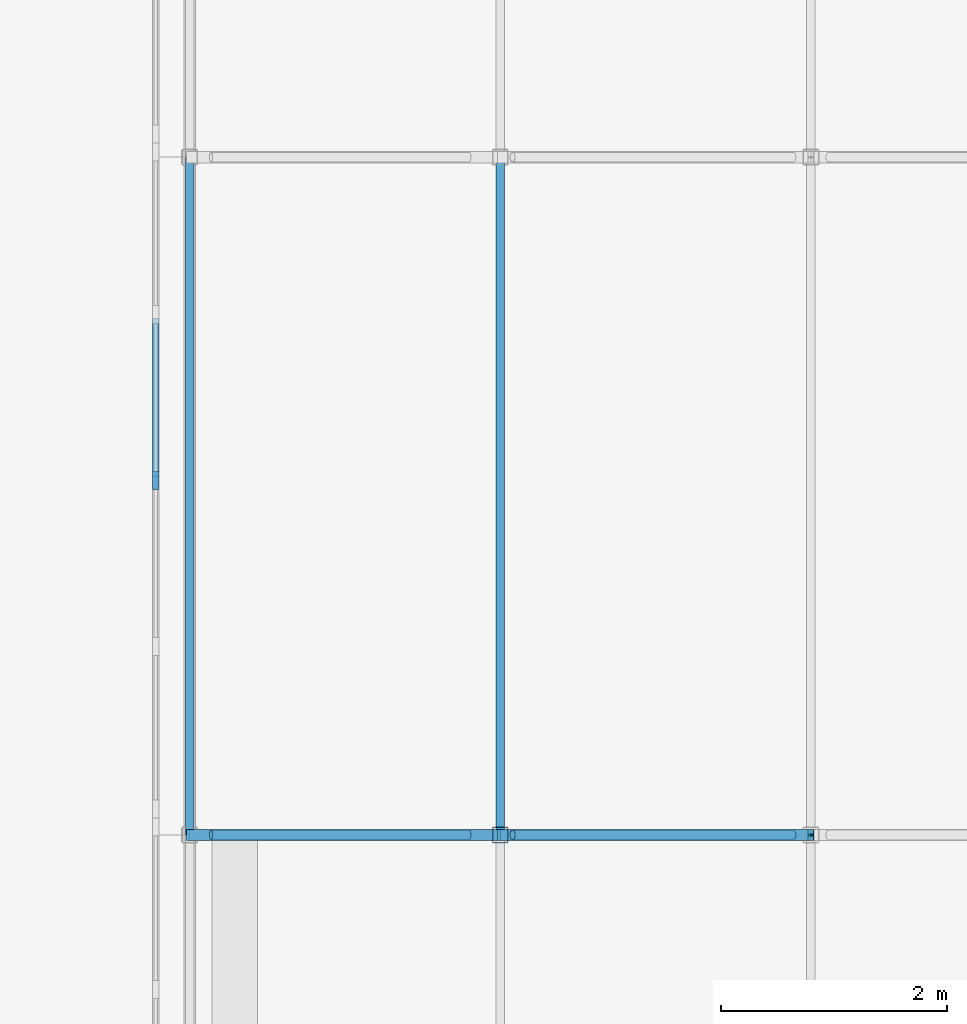
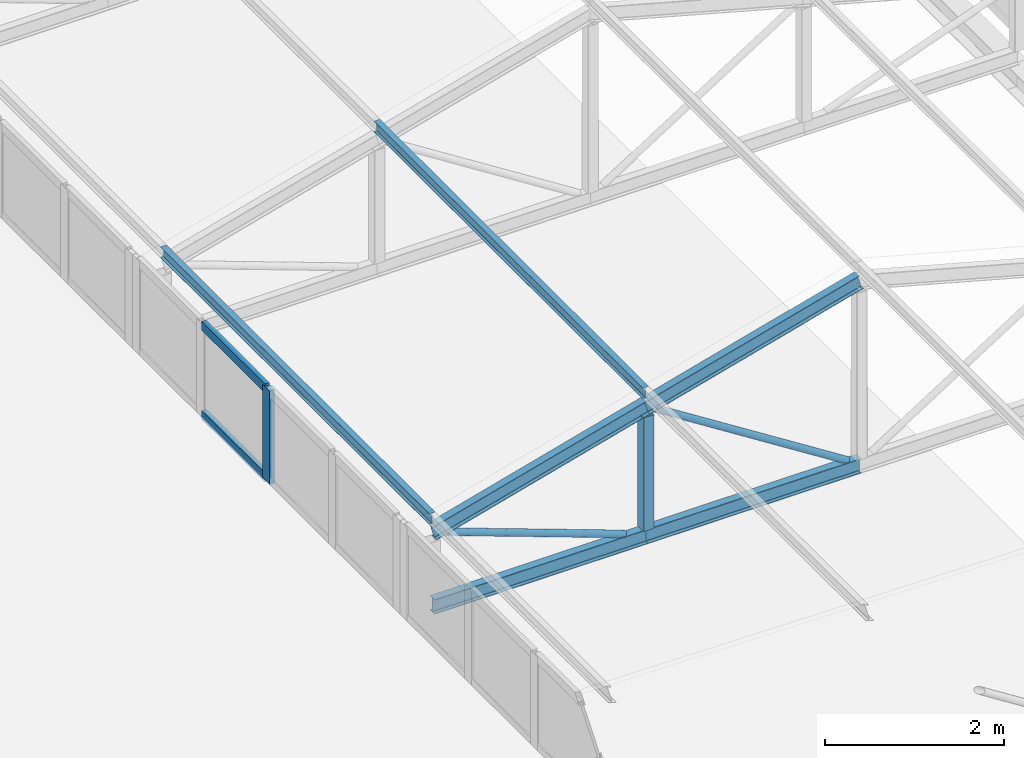
# One storey, part 19 of 94: 12 members, 1 element without a shape of its own.
"""IFC4 building model written with IfcOpenShell, lengths in metres."""

import ifcopenshell
import ifcopenshell.guid

model = None  # the IFC model being written
_history = None  # IfcOwnerHistory: only IFC2X3 demands one
_inside = {}  # id of a spatial element -> (the spatial element, [elements in it])
_under = {}  # id of a project, library or spatial element -> (it, [spatial elements below it])
_declared = {}  # id of a project -> (the project, [libraries it declares])
_typed = {}  # id of a type object -> (the type object, [elements of that type])
_made_of = {}  # id of a material, layer set ... -> (it, [elements and type objects made of it])


def new_model(schema):
    """Start an empty IFC model of exactly this schema.

    Asked for "IFC4X3", IfcOpenShell would pick the latest addendum, in which some entities
    have other attributes; the version numbers below select the first issue.
    IFC2X3 requires an IfcOwnerHistory on every rooted entity: one is made here for all.
    """
    global model, _history
    if schema == "IFC4X3":
        model = ifcopenshell.file(schema_version=(4, 3, 0, 0))
    else:
        model = ifcopenshell.file(schema=schema)
    _inside.clear()
    _under.clear()
    _declared.clear()
    _typed.clear()
    _made_of.clear()
    _history = None
    if model.schema == "IFC2X3":
        org = make("IfcOrganization", Name="unknown")
        user = make(
            "IfcPersonAndOrganization",
            ThePerson=make("IfcPerson", FamilyName="unknown"),
            TheOrganization=org,
        )
        app = make(
            "IfcApplication",
            ApplicationDeveloper=org,
            Version="unknown",
            ApplicationFullName="unknown",
            ApplicationIdentifier="unknown",
        )
        _history = make(
            "IfcOwnerHistory",
            OwningUser=user,
            OwningApplication=app,
            ChangeAction="ADDED",
            CreationDate=0,
        )
    return model


def make(cls, **values):
    """One entity of the class cls with the attributes given. An attribute that is None is left unset."""
    return model.create_entity(
        cls, **{name: value for name, value in values.items() if value is not None}
    )


def rooted(cls, **values):
    """An entity with a GlobalId (a new one), such as an element, a storey or a relation."""
    return make(cls, GlobalId=ifcopenshell.guid.new(), OwnerHistory=_history, **values)


def si_unit(unit_type, name, prefix=None):
    """IfcSIUnit, for example si_unit("LENGTHUNIT", "METRE", prefix="MILLI")."""
    return make("IfcSIUnit", UnitType=unit_type, Prefix=prefix, Name=name)


def assignment(units):
    """IfcUnitAssignment: the units of a project."""
    return None if units is None else make("IfcUnitAssignment", Units=units)


def point(xyz):
    """IfcCartesianPoint."""
    return None if xyz is None else make("IfcCartesianPoint", Coordinates=xyz)


def direction(xyz):
    """IfcDirection."""
    return None if xyz is None else make("IfcDirection", DirectionRatios=xyz)


def frame(location, z_axis=None, x_axis=None):
    """IfcAxis2Placement3D, a coordinate frame: its origin and axes. An axis left out is left unset."""
    return make(
        "IfcAxis2Placement3D",
        Location=point(location),
        Axis=direction(z_axis),
        RefDirection=direction(x_axis),
    )


def frame_2d(location, x_axis=None):
    """IfcAxis2Placement2D, a coordinate frame in the plane: its origin and x axis."""
    return make(
        "IfcAxis2Placement2D", Location=point(location), RefDirection=direction(x_axis)
    )


def origin():
    """The frame at (0, 0, 0) with its axes left unset."""
    return frame((0.0, 0.0, 0.0))


def origin_2d():
    """The frame at (0, 0) in the plane with its x axis left unset."""
    return frame_2d((0.0, 0.0))


def place(relative_to, where):
    """IfcLocalPlacement: puts the frame where relative to a parent placement (None: the world)."""
    return make(
        "IfcLocalPlacement", PlacementRelTo=relative_to, RelativePlacement=where
    )


def context(
    kind, dimensions, precision=None, world=None, true_north=None, identifier=None
):
    """IfcGeometricRepresentationContext, for example the 3D "Model" context."""
    return make(
        "IfcGeometricRepresentationContext",
        ContextIdentifier=identifier,
        ContextType=kind,
        CoordinateSpaceDimension=dimensions,
        Precision=precision,
        WorldCoordinateSystem=world,
        TrueNorth=true_north,
    )


def subcontext(parent, identifier, kind, view, scale=None):
    """IfcGeometricRepresentationSubContext, for example "Body" below "Model"."""
    return make(
        "IfcGeometricRepresentationSubContext",
        ContextIdentifier=identifier,
        ContextType=kind,
        ParentContext=parent,
        TargetScale=scale,
        TargetView=view,
    )


def project(units=None, contexts=None):
    """IfcProject with its units and contexts."""
    return rooted(
        "IfcProject",
        Name="project",
        RepresentationContexts=contexts,
        UnitsInContext=assignment(units),
    )


def spatial(cls, under=None, at=None, **own):
    """A site, building, storey or space (cls), placed at a placement, below another one or the project."""
    s = rooted(cls, ObjectPlacement=at, **own)
    if under is not None:
        _under.setdefault(under.id(), (under, []))[1].append(s)
    return s


def profile(cls, at=None, kind="AREA", **sizes):
    """A parametric profile (cls). Its sizes go by their IFC names, for example OverallWidth=200.0."""
    return make(cls, ProfileType=kind, Position=at, **sizes)


def rectangle(**sizes):
    """IfcRectangleProfileDef."""
    return profile("IfcRectangleProfileDef", **sizes)


def hollow_rectangle(**sizes):
    """IfcRectangleHollowProfileDef."""
    return profile("IfcRectangleHollowProfileDef", **sizes)


def hollow_circle(**sizes):
    """IfcCircleHollowProfileDef."""
    return profile("IfcCircleHollowProfileDef", **sizes)


def i_section(**sizes):
    """IfcIShapeProfileDef."""
    return profile("IfcIShapeProfileDef", **sizes)


def extrude(swept, where, along, depth):
    """IfcExtrudedAreaSolid: the profile swept, set in the frame where, extruded along a direction by depth."""
    return make(
        "IfcExtrudedAreaSolid",
        SweptArea=swept,
        Position=where,
        ExtrudedDirection=direction(along),
        Depth=depth,
    )


def shape(context_of_items, identifier, shape_type, items):
    """IfcShapeRepresentation: the items that make up one representation, for example the "Body"."""
    return make(
        "IfcShapeRepresentation",
        ContextOfItems=context_of_items,
        RepresentationIdentifier=identifier,
        RepresentationType=shape_type,
        Items=items,
    )


def material(Name=None, Category=None):
    """IfcMaterial."""
    return make("IfcMaterial", Name=Name, Category=Category)


def layer(
    of_material, thickness, ventilated=None, Name=None, Category=None, Priority=None
):
    """IfcMaterialLayer: one layer of a wall or slab, of a material (None: an air gap)."""
    return make(
        "IfcMaterialLayer",
        Material=of_material,
        LayerThickness=thickness,
        IsVentilated=ventilated,
        Name=Name,
        Category=Category,
        Priority=Priority,
    )


def layer_set(layers, Name=None):
    """IfcMaterialLayerSet."""
    return make("IfcMaterialLayerSet", MaterialLayers=layers, LayerSetName=Name)


def material_profile(
    of_material, cross_section, Name=None, Category=None, Priority=None
):
    """IfcMaterialProfile: a cross section and its material."""
    return make(
        "IfcMaterialProfile",
        Name=Name,
        Material=of_material,
        Profile=cross_section,
        Priority=Priority,
        Category=Category,
    )


def profile_set(profiles, Name=None, composite=None):
    """IfcMaterialProfileSet."""
    return make(
        "IfcMaterialProfileSet",
        Name=Name,
        MaterialProfiles=profiles,
        CompositeProfile=composite,
    )


def made_of(thing, what):
    """Note that an element or type object is made of a material, layer set ...; save() writes the relation."""
    if what is not None:
        _made_of.setdefault(what.id(), (what, []))[1].append(thing)
    return thing


def type_object(cls, material=None, **own):
    """A type object (cls), such as IfcWallType, which elements share."""
    return made_of(rooted(cls, **own), material)


def element(
    cls,
    number,
    at=None,
    inside=None,
    cuts=None,
    type_object=None,
    material=None,
    context=None,
    identifier="Body",
    shape_type=None,
    held_by="IfcProductDefinitionShape",
    body=None,
    shapes=None,
    **own,
):
    """One element of the class cls, such as IfcWall. Its Tag is "e" and its number.

    at: its placement. inside: the storey or other place that contains it. cuts: it is an
    opening in that element (IfcRelVoidsElement). A single representation is given by context,
    identifier, shape_type and body (its items); several are given by shapes. held_by: the class
    of the entity that holds the representations. save() writes the other relations.
    """
    e = rooted(cls, Tag="e%d" % number, ObjectPlacement=at, **own)
    if body is not None:
        shapes = [shape(context, identifier, shape_type, body)]
    if shapes is not None:
        e.Representation = make(held_by, Representations=shapes)
    if inside is not None:
        _inside.setdefault(inside.id(), (inside, []))[1].append(e)
    if cuts is not None:
        rooted(
            "IfcRelVoidsElement", RelatingBuildingElement=cuts, RelatedOpeningElement=e
        )
    if type_object is not None:
        _typed.setdefault(type_object.id(), (type_object, []))[1].append(e)
    return made_of(e, material)


def aggregate(whole, parts):
    """IfcRelAggregates: a whole, such as a stair, and the parts it consists of."""
    return rooted("IfcRelAggregates", RelatingObject=whole, RelatedObjects=parts)


def save(model, path):
    """Write the relations noted so far, then the file.

    IfcRelAggregates (storeys below a building ...), IfcRelContainedInSpatialStructure (elements
    in a storey), IfcRelDefinesByType, IfcRelAssociatesMaterial and IfcRelDeclares: one each for
    every whole, place, type object, material and project.
    """
    for whole, parts in _under.values():
        aggregate(whole, parts)
    for where, things in _inside.values():
        rooted(
            "IfcRelContainedInSpatialStructure",
            RelatedElements=things,
            RelatingStructure=where,
        )
    for kind, things in _typed.values():
        rooted("IfcRelDefinesByType", RelatedObjects=things, RelatingType=kind)
    for what, things in _made_of.values():
        rooted("IfcRelAssociatesMaterial", RelatedObjects=things, RelatingMaterial=what)
    for by, libraries in _declared.values():
        rooted("IfcRelDeclares", RelatingContext=by, RelatedDefinitions=libraries)
    model.write(path)


model = new_model("IFC4")

# Units and contexts
model_context = context("Model", 3, precision=1e-05, world=origin(), true_north=direction((0.0, 1.0)))
body_context = subcontext(model_context, "Body", "Model", "MODEL_VIEW")
ifc_project = project(units=[si_unit("LENGTHUNIT", "METRE"), si_unit("AREAUNIT", "SQUARE_METRE"), si_unit("VOLUMEUNIT", "CUBIC_METRE"), si_unit("PLANEANGLEUNIT", "RADIAN"), si_unit("MASSUNIT", "GRAM", prefix="KILO")], contexts=[model_context])

# Site, building, storey
site_placement = place(None, origin())
site = spatial("IfcSite", under=ifc_project, at=site_placement, CompositionType="ELEMENT")
building_placement = place(site_placement, origin())
building = spatial("IfcBuilding", under=site, at=building_placement, Name="Lilac Gate Convention Centre", CompositionType="ELEMENT")
storey_placement = place(building_placement, frame((0.0, 0.0, 21.0)))
storey = spatial("IfcBuildingStorey", under=building, at=storey_placement, Name="L04", CompositionType="ELEMENT", Elevation=21.0)

# Curtain wall, members
ifc_material_1 = material(Name="Aluminium framed double glazing", Category="aluminium")
ifc_layer = layer(ifc_material_1, 0.199951171875)
ifc_layer_set = layer_set([ifc_layer], Name="Aluminium framed double glazing")
curtain_wall_type = type_object("IfcCurtainWallType", Name="Unitised curtain wall 1500", PredefinedType="NOTDEFINED", material=ifc_layer_set)
curtain_wall_placement = place(storey_placement, origin())
curtain_wall = element("IfcCurtainWall", 1, at=curtain_wall_placement, inside=storey, type_object=curtain_wall_type, Name="Lantern clerestory W 11", PredefinedType="NOTDEFINED")
ifc_material_2 = material(Name="Aluminium alloy 6063", Category="aluminium")
ifc_material_profile_1 = material_profile(ifc_material_2, rectangle(XDim=0.06005859375, YDim=0.159912109375, at=origin_2d()), Name="Curtain wall mullion 60 x 160")
ifc_profile_set_1 = profile_set([ifc_material_profile_1], Name="Aluminium alloy 6063")
member_type_1 = type_object("IfcMemberType", Name="Curtain wall mullion 60 x 160", PredefinedType="MULLION", material=ifc_profile_set_1)
member_1_placement = place(storey_placement, frame((17.300048828125, 93.137451171875, 0.0), z_axis=(0.0, 0.0, 1.0), x_axis=(-1.0, 0.0, 0.0)))
member_1 = element("IfcMember", 2, at=member_1_placement, type_object=member_type_1, Name="CW mullion 3", PredefinedType="MULLION", context=body_context, shape_type="SweptSolid", body=[
    extrude(rectangle(XDim=0.06005859375, YDim=0.159912109375, at=origin_2d()), origin(), (0.0, 0.0, 1.0), 1.272216796875),
])
ifc_material_profile_2 = material_profile(ifc_material_2, rectangle(XDim=0.06005859375, YDim=0.1201171875, at=origin_2d()), Name="Curtain wall transom 60 x 120")
ifc_profile_set_2 = profile_set([ifc_material_profile_2], Name="Aluminium alloy 6063")
member_type_2 = type_object("IfcMemberType", Name="Curtain wall transom 60 x 120", PredefinedType="USERDEFINED", material=ifc_profile_set_2)
member_2_placement = place(storey_placement, frame((17.300048828125, 93.16748046875, 0.030029296875), z_axis=(0.0, 1.0, 0.0), x_axis=(-1.0, 0.0, 0.0)))
member_2 = element("IfcMember", 3, at=member_2_placement, type_object=member_type_2, Name="CW transom 3.1", ObjectType="TRANSOM", PredefinedType="USERDEFINED", context=body_context, shape_type="SweptSolid", body=[
    extrude(rectangle(XDim=0.06005859375, YDim=0.1201171875, at=origin_2d()), origin(), (0.0, 0.0, 1.0), 1.40869140625),
])
member_3_placement = place(storey_placement, frame((17.300048828125, 93.16748046875, 1.2421875), z_axis=(0.0, 1.0, 0.0), x_axis=(-1.0, 0.0, 0.0)))
member_3 = element("IfcMember", 4, at=member_3_placement, type_object=member_type_2, Name="CW transom 3.2", ObjectType="TRANSOM", PredefinedType="USERDEFINED", context=body_context, shape_type="SweptSolid", body=[
    extrude(rectangle(XDim=0.06005859375, YDim=0.1201171875, at=origin_2d()), origin(), (0.0, 0.0, 1.0), 1.40869140625),
])
aggregate(curtain_wall, [member_1, member_2, member_3])

# Members
ifc_material_3 = material(Name="Steel Q355B", Category="steel")
ifc_material_profile_3 = material_profile(ifc_material_3, i_section(OverallWidth=0.10009765625, OverallDepth=0.199951171875, WebThickness=0.005615234375, FlangeThickness=0.008056640625, FilletRadius=0.008056640625, at=origin_2d()), Name="HN200x100x5.5x8")
ifc_profile_set_3 = profile_set([ifc_material_profile_3], Name="Steel Q355B")
member_type_3 = type_object("IfcMemberType", Name="Lantern bottom chord HN200x100x5.5x8", PredefinedType="CHORD", material=ifc_profile_set_3)
for number, where, z_axis, x_axis, name in (
    (5, (17.60009765625, 90.0, 0.10009765625), (1.0, 0.0, 0.0), (0.0, 1.0, 0.0), "LB1 lantern truss 11 bottom chord 1"),
    (6, (20.35009765625, 90.0, 0.10009765625), (1.0, 0.0, 0.0), (0.0, 1.0, 0.0), "LB1 lantern truss 11 bottom chord 2"),
):
    element("IfcMember", number, at=place(storey_placement, frame(where, z_axis=z_axis, x_axis=x_axis)), inside=storey, type_object=member_type_3, Name=name, PredefinedType="CHORD", context=body_context, shape_type="SweptSolid", body=[
        extrude(i_section(OverallWidth=0.10009765625, OverallDepth=0.199951171875, WebThickness=0.005615234375, FlangeThickness=0.008056640625, FilletRadius=0.008056640625, at=origin_2d()), origin(), (0.0, 0.0, 1.0), 2.75),
    ])
ifc_material_profile_4 = material_profile(ifc_material_3, hollow_circle(Radius=0.04443359375, WallThickness=0.0048828125, at=origin_2d()), Name="CHS88.9x5")
ifc_profile_set_4 = profile_set([ifc_material_profile_4], Name="Steel Q355B")
member_type_4 = type_object("IfcMemberType", Name="Lantern diagonal CHS88.9x5", PredefinedType="BRACE", material=ifc_profile_set_4)
member_4_placement = place(storey_placement, frame((17.789794921875, 90.0, 1.031005859375), z_axis=(0.939781696917, 0.0, -0.341775309434), x_axis=(0.0, 1.0, 0.0)))
element("IfcMember", 7, at=member_4_placement, inside=storey, type_object=member_type_4, Name="LW1 lantern truss 11 diagonal 1", PredefinedType="BRACE", context=body_context, shape_type="SweptSolid", body=[
    extrude(hollow_circle(Radius=0.04443359375, WallThickness=0.0048828125, at=origin_2d()), origin(), (0.0, 0.0, 1.0), 2.431640625),
])
member_5_placement = place(storey_placement, frame((20.45849609375, 90.0, 1.781005859375), z_axis=(0.843647832412, 0.0, -0.536896949951), x_axis=(0.0, 1.0, 0.0)))
element("IfcMember", 8, at=member_5_placement, inside=storey, type_object=member_type_4, Name="LW1 lantern truss 11 diagonal 2", PredefinedType="BRACE", context=body_context, shape_type="SweptSolid", body=[
    extrude(hollow_circle(Radius=0.04443359375, WallThickness=0.0048828125, at=origin_2d()), origin(), (0.0, 0.0, 1.0), 2.94482421875),
])
ifc_material_profile_5 = material_profile(ifc_material_3, hollow_rectangle(XDim=0.139892578125, YDim=0.139892578125, WallThickness=0.0048828125, InnerFilletRadius=0.0048828125, OuterFilletRadius=0.010009765625, at=origin_2d()), Name="SHS140x140x5")
ifc_profile_set_5 = profile_set([ifc_material_profile_5], Name="Steel Q355B")
member_type_5 = type_object("IfcMemberType", Name="Lantern post SHS140x140x5", PredefinedType="STRUT", material=ifc_profile_set_5)
member_6_placement = place(storey_placement, frame((20.35009765625, 90.0, 0.199951171875), z_axis=(0.0, 0.0, 1.0), x_axis=(1.0, 0.0, 0.0)))
element("IfcMember", 9, at=member_6_placement, inside=storey, type_object=member_type_5, Name="LV1 lantern truss 11 post 2", PredefinedType="STRUT", context=body_context, shape_type="SweptSolid", body=[
    extrude(hollow_rectangle(XDim=0.139892578125, YDim=0.139892578125, WallThickness=0.0048828125, InnerFilletRadius=0.0048828125, OuterFilletRadius=0.010009765625, at=origin_2d()), origin(), (0.0, 0.0, 1.0), 1.546142578125),
])
ifc_material_profile_6 = material_profile(ifc_material_3, i_section(OverallWidth=0.074951171875, OverallDepth=0.14990234375, WebThickness=0.0048828125, FlangeThickness=0.007080078125, FilletRadius=0.008056640625, at=origin_2d()), Name="HN150x75x5x7")
ifc_profile_set_6 = profile_set([ifc_material_profile_6], Name="Steel Q355B")
member_type_6 = type_object("IfcMemberType", Name="Lantern purlin HN150x75x5x7", PredefinedType="PURLIN", material=ifc_profile_set_6)
for number, where, z_axis, x_axis, name in (
    (10, (17.60009765625, 90.0, 1.279052734375), (0.0, 1.0, 0.0), (-1.0, 0.0, 0.0), "LP1 lantern purlin bay 11 line 1"),
    (11, (20.35009765625, 90.0, 2.029052734375), (0.0, 1.0, 0.0), (-1.0, 0.0, 0.0), "LP1 lantern purlin bay 11 line 2"),
):
    element("IfcMember", number, at=place(storey_placement, frame(where, z_axis=z_axis, x_axis=x_axis)), inside=storey, type_object=member_type_6, Name=name, PredefinedType="PURLIN", context=body_context, shape_type="SweptSolid", body=[
        extrude(i_section(OverallWidth=0.074951171875, OverallDepth=0.14990234375, WebThickness=0.0048828125, FlangeThickness=0.007080078125, FilletRadius=0.008056640625, at=origin_2d()), origin(), (0.0, 0.0, 1.0), 6.0),
    ])
ifc_material_profile_7 = material_profile(ifc_material_3, i_section(OverallWidth=0.10009765625, OverallDepth=0.199951171875, WebThickness=0.005615234375, FlangeThickness=0.008056640625, FilletRadius=0.008056640625, at=origin_2d()), Name="HN200x100x5.5x8")
ifc_profile_set_7 = profile_set([ifc_material_profile_7], Name="Steel Q355B")
member_type_7 = type_object("IfcMemberType", Name="Lantern top chord HN200x100x5.5x8", PredefinedType="CHORD", material=ifc_profile_set_7)
for number, where, z_axis, x_axis, name in (
    (12, (17.60009765625, 90.0, 1.10009765625), (0.964763821238, 0.0, 0.263117405792), (0.0, 1.0, 0.0), "LT1 lantern truss 11 top chord 1"),
    (13, (20.35009765625, 90.0, 1.85009765625), (0.964763821238, 0.0, 0.263117405792), (0.0, 1.0, 0.0), "LT1 lantern truss 11 top chord 2"),
):
    element("IfcMember", number, at=place(storey_placement, frame(where, z_axis=z_axis, x_axis=x_axis)), inside=storey, type_object=member_type_7, Name=name, PredefinedType="CHORD", context=body_context, shape_type="SweptSolid", body=[
        extrude(i_section(OverallWidth=0.10009765625, OverallDepth=0.199951171875, WebThickness=0.005615234375, FlangeThickness=0.008056640625, FilletRadius=0.008056640625, at=origin_2d()), origin(), (0.0, 0.0, 1.0), 2.850341796875),
    ])

save(model, "model.ifc")
